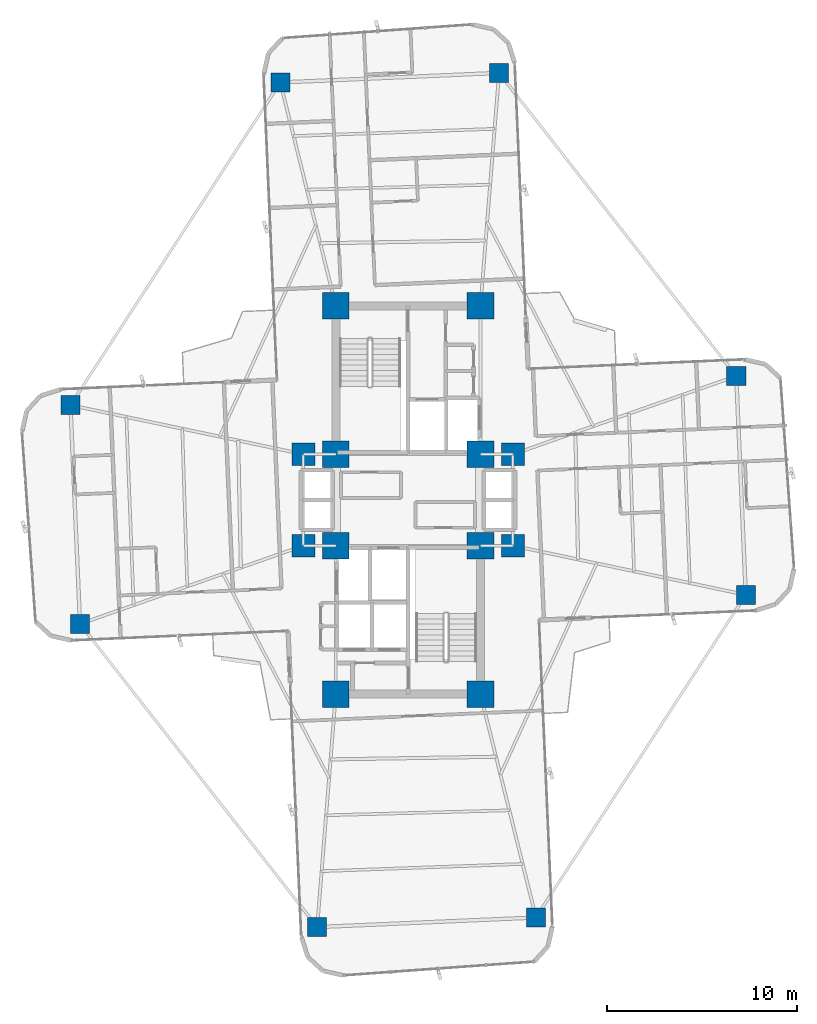
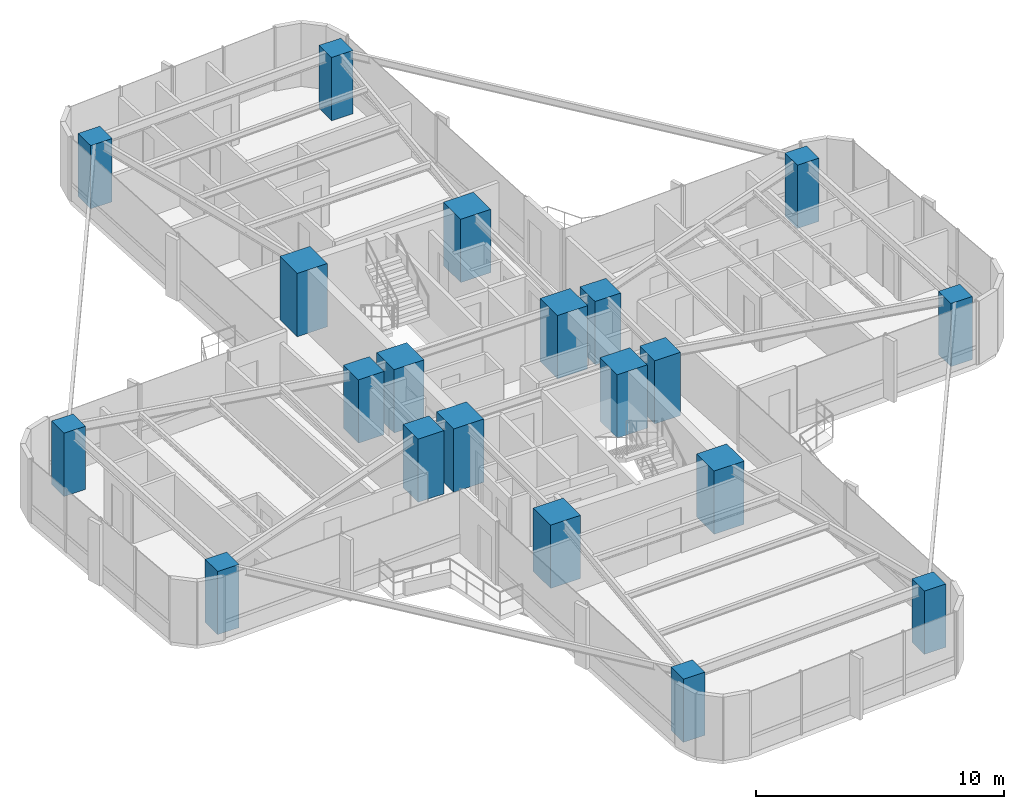
# One storey, part 1 of 26: 20 columns.
"""IFC4 building model written with IfcOpenShell, lengths in metres."""

from ifc_helpers import new_model, si_unit, direction, frame, origin, origin_2d, place, context, subcontext, project, spatial, rectangle, extrude, source, transform, mapped, material, material_profile, profile_set, type_object, element, save


model = new_model("IFC4")

# Units and contexts
model_context = context("Model", 3, precision=1e-05, world=origin(), true_north=direction((0.0, 1.0)))
body_context = subcontext(model_context, "Body", "Model", "MODEL_VIEW")
ifc_project = project(units=[si_unit("LENGTHUNIT", "METRE"), si_unit("AREAUNIT", "SQUARE_METRE"), si_unit("VOLUMEUNIT", "CUBIC_METRE"), si_unit("PLANEANGLEUNIT", "RADIAN"), si_unit("MASSUNIT", "GRAM", prefix="KILO")], contexts=[model_context])

# Site, building, storey
site_placement = place(None, origin())
site = spatial("IfcSite", under=ifc_project, at=site_placement, CompositionType="ELEMENT")
building_placement = place(site_placement, origin())
building = spatial("IfcBuilding", under=site, at=building_placement, Name="Sahyath Konkavel Grand Hotel", CompositionType="ELEMENT")
storey_placement = place(building_placement, frame((0.0, 0.0, 131.550048828125)))
storey = spatial("IfcBuildingStorey", under=building, at=storey_placement, Name="L36", CompositionType="ELEMENT", Elevation=131.550048828125)

# Columns
ifc_material_1 = material(Name="Concrete C70/85", Category="concrete")
ifc_material_profile_1 = material_profile(ifc_material_1, rectangle(XDim=1.39990234375, YDim=1.39990234375, at=origin_2d()), Name="RC 1400x1400")
ifc_profile_set_1 = profile_set([ifc_material_profile_1], Name="Concrete C70/85")
column_type_1 = type_object("IfcColumnType", Name="COL-RC1400", PredefinedType="COLUMN", material=ifc_profile_set_1)
shared_shape_1 = source(origin(), body_context, "Body", "SweptSolid", [
    extrude(rectangle(XDim=1.39990234375, YDim=1.39990234375, at=origin_2d()), origin(), (0.0, 0.0, 1.0), 3.10986328125),
])
for number, where, z_axis, x_axis, name in (
    (1, (-3.800048828125, 2.39990234375, 0.0), (0.0, 0.0, 1.0), (1.0, 0.0, 0.0), "L36 Core Boundary Column NC-SW"),
    (2, (3.800048828125, 2.39990234375, 0.0), (0.0, 0.0, 1.0), (1.0, 0.0, 0.0), "L36 Core Boundary Column NC-SE"),
    (3, (-3.800048828125, 10.199951171875, 0.0), (0.0, 0.0, 1.0), (1.0, 0.0, 0.0), "L36 Core Boundary Column NC-NW"),
    (4, (3.800048828125, 10.199951171875, 0.0), (0.0, 0.0, 1.0), (1.0, 0.0, 0.0), "L36 Core Boundary Column NC-NE"),
    (5, (-3.800048828125, -2.39990234375, 0.0), (0.0, 0.0, 1.0), (1.0, 0.0, 0.0), "L36 Core Boundary Column SC-NW"),
    (6, (3.800048828125, -2.39990234375, 0.0), (0.0, 0.0, 1.0), (1.0, 0.0, 0.0), "L36 Core Boundary Column SC-NE"),
    (7, (-3.800048828125, -10.199951171875, 0.0), (0.0, 0.0, 1.0), (1.0, 0.0, 0.0), "L36 Core Boundary Column SC-SW"),
    (8, (3.800048828125, -10.199951171875, 0.0), (0.0, 0.0, 1.0), (1.0, 0.0, 0.0), "L36 Core Boundary Column SC-SE"),
):
    element("IfcColumn", number, at=place(storey_placement, frame(where, z_axis=z_axis, x_axis=x_axis)), inside=storey, type_object=column_type_1, Name=name, PredefinedType="COLUMN", context=body_context, shape_type="MappedRepresentation", body=[
        mapped(shared_shape_1, transform((0.0, 0.0, 0.0), scale=1.0)),
    ])
ifc_material_2 = material(Name="Concrete C50/60", Category="concrete")
ifc_material_profile_2 = material_profile(ifc_material_2, rectangle(XDim=1.199951171875, YDim=1.199951171875, at=origin_2d()), Name="RC 1200x1200")
ifc_profile_set_2 = profile_set([ifc_material_profile_2], Name="Concrete C50/60")
column_type_2 = type_object("IfcColumnType", Name="COL-RC1200", PredefinedType="COLUMN", material=ifc_profile_set_2)
shared_shape_2 = source(origin(), body_context, "Body", "SweptSolid", [
    extrude(rectangle(XDim=1.199951171875, YDim=1.199951171875, at=origin_2d()), origin(), (0.0, 0.0, 1.0), 3.10986328125),
])
for number, where, z_axis, x_axis, name in (
    (9, (5.5, 2.39990234375, 0.0), (0.0, 0.0, 1.0), (1.0, 0.0, 0.0), "L36 Central Spine Column HB-NE"),
    (10, (-5.5, 2.39990234375, 0.0), (0.0, 0.0, 1.0), (1.0, 0.0, 0.0), "L36 Central Spine Column HB-NW"),
    (11, (5.5, -2.39990234375, 0.0), (0.0, 0.0, 1.0), (1.0, 0.0, 0.0), "L36 Central Spine Column HB-SE"),
    (12, (-5.5, -2.39990234375, 0.0), (0.0, 0.0, 1.0), (1.0, 0.0, 0.0), "L36 Central Spine Column HB-SW"),
):
    element("IfcColumn", number, at=place(storey_placement, frame(where, z_axis=z_axis, x_axis=x_axis)), inside=storey, type_object=column_type_2, Name=name, PredefinedType="COLUMN", context=body_context, shape_type="MappedRepresentation", body=[
        mapped(shared_shape_2, transform((0.0, 0.0, 0.0), scale=1.0)),
    ])
ifc_material_profile_3 = material_profile(ifc_material_2, rectangle(XDim=1.0, YDim=1.0, at=origin_2d()), Name="RC 1000x1000")
ifc_profile_set_3 = profile_set([ifc_material_profile_3], Name="Concrete C50/60")
column_type_3 = type_object("IfcColumnType", Name="COL-RC1000", PredefinedType="COLUMN", material=ifc_profile_set_3)
shared_shape_3 = source(origin(), body_context, "Body", "SweptSolid", [
    extrude(rectangle(XDim=1.0, YDim=1.0, at=origin_2d()), origin(), (0.0, 0.0, 1.0), 3.10986328125),
])
for number, where, z_axis, x_axis, name in (
    (13, (17.734130859375, -4.981201171875, 0.0), (0.0, 0.0, 1.0), (1.0, 0.0, 0.0), "L36 Cruciform Wing Column WC-EA"),
    (14, (17.232421875, 6.5078125, 0.0), (0.0, 0.0, 1.0), (1.0, 0.0, 0.0), "L36 Cruciform Wing Column WC-EB"),
    (15, (4.776123046875, 22.4296875, 0.0), (0.0, 0.0, 1.0), (1.0, 0.0, 0.0), "L36 Cruciform Wing Column WC-NA"),
    (16, (-6.712890625, 21.927978515625, 0.0), (0.0, 0.0, 1.0), (1.0, 0.0, 0.0), "L36 Cruciform Wing Column WC-NB"),
    (17, (-17.734130859375, 4.981201171875, 0.0), (0.0, 0.0, 1.0), (1.0, 0.0, 0.0), "L36 Cruciform Wing Column WC-WA"),
    (18, (-17.232421875, -6.5078125, 0.0), (0.0, 0.0, 1.0), (1.0, 0.0, 0.0), "L36 Cruciform Wing Column WC-WB"),
    (19, (-4.776123046875, -22.4296875, 0.0), (0.0, 0.0, 1.0), (1.0, 0.0, 0.0), "L36 Cruciform Wing Column WC-SA"),
    (20, (6.712890625, -21.927978515625, 0.0), (0.0, 0.0, 1.0), (1.0, 0.0, 0.0), "L36 Cruciform Wing Column WC-SB"),
):
    element("IfcColumn", number, at=place(storey_placement, frame(where, z_axis=z_axis, x_axis=x_axis)), inside=storey, type_object=column_type_3, Name=name, PredefinedType="COLUMN", context=body_context, shape_type="MappedRepresentation", body=[
        mapped(shared_shape_3, transform((0.0, 0.0, 0.0), scale=1.0)),
    ])

save(model, "model.ifc")
